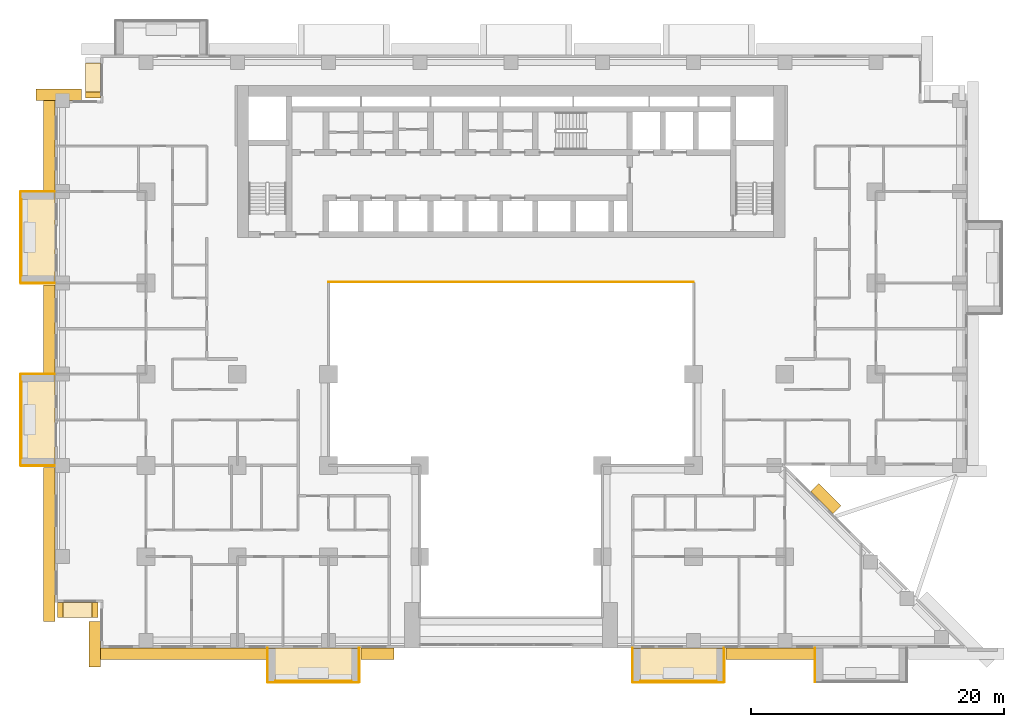
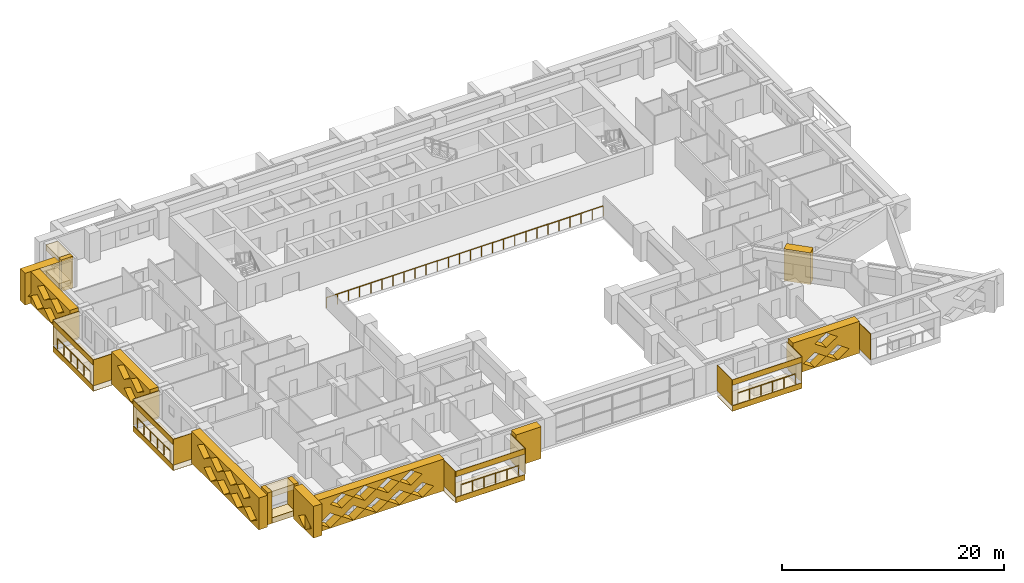
# One storey, part 14 of 17: 37 coverings, 5 railings.
"""IFC4 building model written with IfcOpenShell, lengths in metres."""

from ifc_helpers import new_model, si_unit, direction, frame, origin, origin_2d, place, context, subcontext, project, spatial, polyline, circle, outline, extrude, material, layer, layer_set, type_object, element, save


model = new_model("IFC4")

# Units and contexts
model_context = context("Model", 3, precision=1e-05, world=origin(), true_north=direction((0.0, 1.0)))
body_context = subcontext(model_context, "Body", "Model", "MODEL_VIEW")
ifc_project = project(units=[si_unit("LENGTHUNIT", "METRE"), si_unit("AREAUNIT", "SQUARE_METRE"), si_unit("VOLUMEUNIT", "CUBIC_METRE"), si_unit("PLANEANGLEUNIT", "RADIAN"), si_unit("MASSUNIT", "GRAM", prefix="KILO")], contexts=[model_context])

# Site, building, storey
site_placement = place(None, origin())
site = spatial("IfcSite", under=ifc_project, at=site_placement, CompositionType="ELEMENT")
building_placement = place(site_placement, origin())
building = spatial("IfcBuilding", under=site, at=building_placement, Name="Saffron Iwan Residences", CompositionType="ELEMENT")
storey_placement = place(building_placement, frame((0.0, 0.0, 58.5)))
storey = spatial("IfcBuildingStorey", under=building, at=storey_placement, Name="L14", CompositionType="ELEMENT", Elevation=58.5)

# Railings
ifc_material_1 = material(Name="Stainless steel 316", Category="steel")
railing_type_1 = type_object("IfcRailingType", Name="Atrium guard 1150", PredefinedType="GUARDRAIL", material=ifc_material_1)
railing_placement = place(storey_placement, frame((36.0, 62.47509765625, 0.0)))
element("IfcRailing", 1, at=railing_placement, inside=storey, type_object=railing_type_1, Name="Atrium guard L14", PredefinedType="GUARDRAIL", context=body_context, shape_type="SweptSolid", body=[
    extrude(circle(Radius=0.02392578125, at=origin_2d()), frame((0.0, 0.0, 1.1259765625), z_axis=(1.0, 0.0, 0.0), x_axis=(0.0, 1.0, 0.0)), (0.0, 0.0, 1.0), 28.800048828125),
    extrude(circle(Radius=0.02099609375, at=origin_2d()), origin(), (0.0, 0.0, 1.0), 1.101806640625),
    extrude(circle(Radius=0.02099609375, at=origin_2d()), frame((1.152099609375, 0.0, 0.0)), (0.0, 0.0, 1.0), 1.101806640625),
    extrude(circle(Radius=0.02099609375, at=origin_2d()), frame((2.303955078125, 0.0, 0.0)), (0.0, 0.0, 1.0), 1.101806640625),
    extrude(circle(Radius=0.02099609375, at=origin_2d()), frame((3.4560546875, 0.0, 0.0)), (0.0, 0.0, 1.0), 1.101806640625),
    extrude(circle(Radius=0.02099609375, at=origin_2d()), frame((4.60791015625, 0.0, 0.0)), (0.0, 0.0, 1.0), 1.101806640625),
    extrude(circle(Radius=0.02099609375, at=origin_2d()), frame((5.760009765625, 0.0, 0.0)), (0.0, 0.0, 1.0), 1.101806640625),
    extrude(circle(Radius=0.02099609375, at=origin_2d()), frame((6.912109375, 0.0, 0.0)), (0.0, 0.0, 1.0), 1.101806640625),
    extrude(circle(Radius=0.02099609375, at=origin_2d()), frame((8.06396484375, 0.0, 0.0)), (0.0, 0.0, 1.0), 1.101806640625),
    extrude(circle(Radius=0.02099609375, at=origin_2d()), frame((9.216064453125, 0.0, 0.0)), (0.0, 0.0, 1.0), 1.101806640625),
    extrude(circle(Radius=0.02099609375, at=origin_2d()), frame((10.367919921875, 0.0, 0.0)), (0.0, 0.0, 1.0), 1.101806640625),
    extrude(circle(Radius=0.02099609375, at=origin_2d()), frame((11.52001953125, 0.0, 0.0)), (0.0, 0.0, 1.0), 1.101806640625),
    extrude(circle(Radius=0.02099609375, at=origin_2d()), frame((12.672119140625, 0.0, 0.0)), (0.0, 0.0, 1.0), 1.101806640625),
    extrude(circle(Radius=0.02099609375, at=origin_2d()), frame((13.823974609375, 0.0, 0.0)), (0.0, 0.0, 1.0), 1.101806640625),
    extrude(circle(Radius=0.02099609375, at=origin_2d()), frame((14.97607421875, 0.0, 0.0)), (0.0, 0.0, 1.0), 1.101806640625),
    extrude(circle(Radius=0.02099609375, at=origin_2d()), frame((16.1279296875, 0.0, 0.0)), (0.0, 0.0, 1.0), 1.101806640625),
    extrude(circle(Radius=0.02099609375, at=origin_2d()), frame((17.280029296875, 0.0, 0.0)), (0.0, 0.0, 1.0), 1.101806640625),
    extrude(circle(Radius=0.02099609375, at=origin_2d()), frame((18.43212890625, 0.0, 0.0)), (0.0, 0.0, 1.0), 1.101806640625),
    extrude(circle(Radius=0.02099609375, at=origin_2d()), frame((19.583984375, 0.0, 0.0)), (0.0, 0.0, 1.0), 1.101806640625),
    extrude(circle(Radius=0.02099609375, at=origin_2d()), frame((20.736083984375, 0.0, 0.0)), (0.0, 0.0, 1.0), 1.101806640625),
    extrude(circle(Radius=0.02099609375, at=origin_2d()), frame((21.887939453125, 0.0, 0.0)), (0.0, 0.0, 1.0), 1.101806640625),
    extrude(circle(Radius=0.02099609375, at=origin_2d()), frame((23.0400390625, 0.0, 0.0)), (0.0, 0.0, 1.0), 1.101806640625),
    extrude(circle(Radius=0.02099609375, at=origin_2d()), frame((24.192138671875, 0.0, 0.0)), (0.0, 0.0, 1.0), 1.101806640625),
    extrude(circle(Radius=0.02099609375, at=origin_2d()), frame((25.343994140625, 0.0, 0.0)), (0.0, 0.0, 1.0), 1.101806640625),
    extrude(circle(Radius=0.02099609375, at=origin_2d()), frame((26.49609375, 0.0, 0.0)), (0.0, 0.0, 1.0), 1.101806640625),
    extrude(circle(Radius=0.02099609375, at=origin_2d()), frame((27.64794921875, 0.0, 0.0)), (0.0, 0.0, 1.0), 1.101806640625),
    extrude(circle(Radius=0.02099609375, at=origin_2d()), frame((28.800048828125, 0.0, 0.0)), (0.0, 0.0, 1.0), 1.101806640625),
])
railing_type_2 = type_object("IfcRailingType", Name="BALCONY GUARD 1150", PredefinedType="GUARDRAIL", material=ifc_material_1)
for number, where, name in (
    (2, (11.77490234375, 69.0, 0.0), "Balcony guard L14 F8-0"),
    (3, (11.77490234375, 54.60009765625, 0.0), "Balcony guard L14 F8-1"),
):
    element("IfcRailing", number, at=place(storey_placement, frame(where)), inside=storey, type_object=railing_type_2, Name=name, PredefinedType="GUARDRAIL", context=body_context, shape_type="SweptSolid", body=[
        extrude(circle(Radius=0.02392578125, at=origin_2d()), frame((0.0, 0.0, 1.1259765625), z_axis=(0.0, -1.0, 0.0), x_axis=(1.0, 0.0, 0.0)), (0.0, 0.0, 1.0), 6.0),
        extrude(circle(Radius=0.02099609375, at=origin_2d()), origin(), (0.0, 0.0, 1.0), 1.101806640625),
        extrude(circle(Radius=0.02099609375, at=origin_2d()), frame((0.0, -1.199951171875, 0.0)), (0.0, 0.0, 1.0), 1.101806640625),
        extrude(circle(Radius=0.02099609375, at=origin_2d()), frame((0.0, -2.39990234375, 0.0)), (0.0, 0.0, 1.0), 1.101806640625),
        extrude(circle(Radius=0.02099609375, at=origin_2d()), frame((0.0, -3.60009765625, 0.0)), (0.0, 0.0, 1.0), 1.101806640625),
        extrude(circle(Radius=0.02099609375, at=origin_2d()), frame((0.0, -4.800048828125, 0.0)), (0.0, 0.0, 1.0), 1.101806640625),
        extrude(circle(Radius=0.02099609375, at=origin_2d()), frame((0.0, -6.0, 0.0)), (0.0, 0.0, 1.0), 1.101806640625),
    ])
for number, where, name in (
    (4, (31.800048828125, 30.97509765625, 0.0), "Balcony guard L14 11-0"),
    (5, (60.60009765625, 30.97509765625, 0.0), "Balcony guard L14 11-1"),
):
    element("IfcRailing", number, at=place(storey_placement, frame(where)), inside=storey, type_object=railing_type_2, Name=name, PredefinedType="GUARDRAIL", context=body_context, shape_type="SweptSolid", body=[
        extrude(circle(Radius=0.02392578125, at=origin_2d()), frame((0.0, 0.0, 1.1259765625), z_axis=(1.0, 0.0, 0.0), x_axis=(0.0, 1.0, 0.0)), (0.0, 0.0, 1.0), 6.0),
        extrude(circle(Radius=0.02099609375, at=origin_2d()), origin(), (0.0, 0.0, 1.0), 1.101806640625),
        extrude(circle(Radius=0.02099609375, at=origin_2d()), frame((1.199951171875, 0.0, 0.0)), (0.0, 0.0, 1.0), 1.101806640625),
        extrude(circle(Radius=0.02099609375, at=origin_2d()), frame((2.39990234375, 0.0, 0.0)), (0.0, 0.0, 1.0), 1.101806640625),
        extrude(circle(Radius=0.02099609375, at=origin_2d()), frame((3.60009765625, 0.0, 0.0)), (0.0, 0.0, 1.0), 1.101806640625),
        extrude(circle(Radius=0.02099609375, at=origin_2d()), frame((4.800048828125, 0.0, 0.0)), (0.0, 0.0, 1.0), 1.101806640625),
        extrude(circle(Radius=0.02099609375, at=origin_2d()), frame((6.0, 0.0, 0.0)), (0.0, 0.0, 1.0), 1.101806640625),
    ])

# Coverings
ifc_material_2 = material(Name="Precast concrete C40/50 white painted", Category="concrete")
ifc_layer = layer(ifc_material_2, 0.050048828125)
ifc_layer_set = layer_set([ifc_layer], Name="Precast concrete C40/50 white painted")
covering_type_1 = type_object("IfcCoveringType", Name="FRAME SKIN PRECAST WHITE 50", PredefinedType="CLADDING", material=ifc_layer_set)
for number, where, name in (
    (6, (0.0, 0.0, -0.60009765625), "Frame skin slab edge L14 F8-0"),
    (7, (0.0, 0.0, 2.25), "Frame skin fascia L14 F8-0"),
):
    element("IfcCovering", number, at=place(storey_placement, frame(where)), inside=storey, type_object=covering_type_1, Name=name, PredefinedType="CLADDING", context=body_context, shape_type="SweptSolid", body=[
        extrude(outline(polyline([(11.64990234375, 69.60009765625), (11.64990234375, 62.39990234375), (11.699951171875, 62.39990234375), (11.699951171875, 69.60009765625), (11.64990234375, 69.60009765625)])), origin(), (0.0, 0.0, 1.0), 0.60009765625),
    ])
covering_1_placement = place(storey_placement, frame((0.0, 0.0, -0.64990234375)))
element("IfcCovering", 8, at=covering_1_placement, inside=storey, type_object=covering_type_1, Name="Frame skin soffit L14 F8-0", PredefinedType="CLADDING", context=body_context, shape_type="SweptSolid", body=[
    extrude(outline(polyline([(11.699951171875, 69.60009765625), (11.699951171875, 62.39990234375), (14.39990234375, 62.39990234375), (14.39990234375, 69.60009765625), (11.699951171875, 69.60009765625)])), origin(), (0.0, 0.0, 1.0), 0.0498046875),
])
covering_2_placement = place(storey_placement, origin())
element("IfcCovering", 9, at=covering_2_placement, inside=storey, type_object=covering_type_1, Name="Frame skin fin L14 F8-0a", PredefinedType="CLADDING", context=body_context, shape_type="SweptSolid", body=[
    extrude(outline(polyline([(11.699951171875, 69.64990234375), (11.699951171875, 69.60009765625), (14.39990234375, 69.60009765625), (14.39990234375, 69.64990234375), (11.699951171875, 69.64990234375)])), origin(), (0.0, 0.0, 1.0), 2.85009765625),
])
covering_3_placement = place(storey_placement, origin())
element("IfcCovering", 10, at=covering_3_placement, inside=storey, type_object=covering_type_1, Name="Frame skin fin L14 F8-0b", PredefinedType="CLADDING", context=body_context, shape_type="SweptSolid", body=[
    extrude(outline(polyline([(11.699951171875, 62.39990234375), (11.699951171875, 62.35009765625), (14.39990234375, 62.35009765625), (14.39990234375, 62.39990234375), (11.699951171875, 62.39990234375)])), origin(), (0.0, 0.0, 1.0), 2.85009765625),
])
for number, where, name in (
    (11, (0.0, 0.0, -0.60009765625), "Frame skin slab edge L14 F8-1"),
    (12, (0.0, 0.0, 2.25), "Frame skin fascia L14 F8-1"),
):
    element("IfcCovering", number, at=place(storey_placement, frame(where)), inside=storey, type_object=covering_type_1, Name=name, PredefinedType="CLADDING", context=body_context, shape_type="SweptSolid", body=[
        extrude(outline(polyline([(11.64990234375, 55.199951171875), (11.64990234375, 48.0), (11.699951171875, 48.0), (11.699951171875, 55.199951171875), (11.64990234375, 55.199951171875)])), origin(), (0.0, 0.0, 1.0), 0.60009765625),
    ])
covering_4_placement = place(storey_placement, frame((0.0, 0.0, -0.64990234375)))
element("IfcCovering", 13, at=covering_4_placement, inside=storey, type_object=covering_type_1, Name="Frame skin soffit L14 F8-1", PredefinedType="CLADDING", context=body_context, shape_type="SweptSolid", body=[
    extrude(outline(polyline([(11.699951171875, 55.199951171875), (11.699951171875, 48.0), (14.39990234375, 48.0), (14.39990234375, 55.199951171875), (11.699951171875, 55.199951171875)])), origin(), (0.0, 0.0, 1.0), 0.0498046875),
])
covering_5_placement = place(storey_placement, origin())
element("IfcCovering", 14, at=covering_5_placement, inside=storey, type_object=covering_type_1, Name="Frame skin fin L14 F8-1a", PredefinedType="CLADDING", context=body_context, shape_type="SweptSolid", body=[
    extrude(outline(polyline([(11.699951171875, 55.25), (11.699951171875, 55.199951171875), (14.39990234375, 55.199951171875), (14.39990234375, 55.25), (11.699951171875, 55.25)])), origin(), (0.0, 0.0, 1.0), 2.85009765625),
])
covering_6_placement = place(storey_placement, origin())
element("IfcCovering", 15, at=covering_6_placement, inside=storey, type_object=covering_type_1, Name="Frame skin fin L14 F8-1b", PredefinedType="CLADDING", context=body_context, shape_type="SweptSolid", body=[
    extrude(outline(polyline([(11.699951171875, 48.0), (11.699951171875, 47.949951171875), (14.39990234375, 47.949951171875), (14.39990234375, 48.0), (11.699951171875, 48.0)])), origin(), (0.0, 0.0, 1.0), 2.85009765625),
])
for number, where, name in (
    (16, (0.0, 0.0, -0.60009765625), "Frame skin slab edge L14 11-0"),
    (17, (0.0, 0.0, 2.25), "Frame skin fascia L14 11-0"),
):
    element("IfcCovering", number, at=place(storey_placement, frame(where)), inside=storey, type_object=covering_type_1, Name=name, PredefinedType="CLADDING", context=body_context, shape_type="SweptSolid", body=[
        extrude(outline(polyline([(31.199951171875, 30.85009765625), (38.39990234375, 30.85009765625), (38.39990234375, 30.89990234375), (31.199951171875, 30.89990234375), (31.199951171875, 30.85009765625)])), origin(), (0.0, 0.0, 1.0), 0.60009765625),
    ])
covering_7_placement = place(storey_placement, frame((0.0, 0.0, -0.64990234375)))
element("IfcCovering", 18, at=covering_7_placement, inside=storey, type_object=covering_type_1, Name="Frame skin soffit L14 11-0", PredefinedType="CLADDING", context=body_context, shape_type="SweptSolid", body=[
    extrude(outline(polyline([(31.199951171875, 30.89990234375), (38.39990234375, 30.89990234375), (38.39990234375, 33.60009765625), (31.199951171875, 33.60009765625), (31.199951171875, 30.89990234375)])), origin(), (0.0, 0.0, 1.0), 0.0498046875),
])
covering_8_placement = place(storey_placement, origin())
element("IfcCovering", 19, at=covering_8_placement, inside=storey, type_object=covering_type_1, Name="Frame skin fin L14 11-0a", PredefinedType="CLADDING", context=body_context, shape_type="SweptSolid", body=[
    extrude(outline(polyline([(31.14990234375, 30.89990234375), (31.199951171875, 30.89990234375), (31.199951171875, 33.60009765625), (31.14990234375, 33.60009765625), (31.14990234375, 30.89990234375)])), origin(), (0.0, 0.0, 1.0), 2.85009765625),
])
covering_9_placement = place(storey_placement, origin())
element("IfcCovering", 20, at=covering_9_placement, inside=storey, type_object=covering_type_1, Name="Frame skin fin L14 11-0b", PredefinedType="CLADDING", context=body_context, shape_type="SweptSolid", body=[
    extrude(outline(polyline([(38.39990234375, 30.89990234375), (38.449951171875, 30.89990234375), (38.449951171875, 33.60009765625), (38.39990234375, 33.60009765625), (38.39990234375, 30.89990234375)])), origin(), (0.0, 0.0, 1.0), 2.85009765625),
])
for number, where, name in (
    (21, (0.0, 0.0, -0.60009765625), "Frame skin slab edge L14 11-1"),
    (22, (0.0, 0.0, 2.25), "Frame skin fascia L14 11-1"),
):
    element("IfcCovering", number, at=place(storey_placement, frame(where)), inside=storey, type_object=covering_type_1, Name=name, PredefinedType="CLADDING", context=body_context, shape_type="SweptSolid", body=[
        extrude(outline(polyline([(60.0, 30.85009765625), (67.199951171875, 30.85009765625), (67.199951171875, 30.89990234375), (60.0, 30.89990234375), (60.0, 30.85009765625)])), origin(), (0.0, 0.0, 1.0), 0.60009765625),
    ])
covering_10_placement = place(storey_placement, frame((0.0, 0.0, -0.64990234375)))
element("IfcCovering", 23, at=covering_10_placement, inside=storey, type_object=covering_type_1, Name="Frame skin soffit L14 11-1", PredefinedType="CLADDING", context=body_context, shape_type="SweptSolid", body=[
    extrude(outline(polyline([(60.0, 30.89990234375), (67.199951171875, 30.89990234375), (67.199951171875, 33.60009765625), (60.0, 33.60009765625), (60.0, 30.89990234375)])), origin(), (0.0, 0.0, 1.0), 0.0498046875),
])
covering_11_placement = place(storey_placement, origin())
element("IfcCovering", 24, at=covering_11_placement, inside=storey, type_object=covering_type_1, Name="Frame skin fin L14 11-1a", PredefinedType="CLADDING", context=body_context, shape_type="SweptSolid", body=[
    extrude(outline(polyline([(59.949951171875, 30.89990234375), (60.0, 30.89990234375), (60.0, 33.60009765625), (59.949951171875, 33.60009765625), (59.949951171875, 30.89990234375)])), origin(), (0.0, 0.0, 1.0), 2.85009765625),
])
covering_12_placement = place(storey_placement, origin())
element("IfcCovering", 25, at=covering_12_placement, inside=storey, type_object=covering_type_1, Name="Frame skin fin L14 11-1b", PredefinedType="CLADDING", context=body_context, shape_type="SweptSolid", body=[
    extrude(outline(polyline([(67.199951171875, 30.89990234375), (67.25, 30.89990234375), (67.25, 33.60009765625), (67.199951171875, 33.60009765625), (67.199951171875, 30.89990234375)])), origin(), (0.0, 0.0, 1.0), 2.85009765625),
])
covering_13_placement = place(storey_placement, origin())
element("IfcCovering", 26, at=covering_13_placement, inside=storey, type_object=covering_type_1, Name="Frame skin fin L14 11-2a", PredefinedType="CLADDING", context=body_context, shape_type="SweptSolid", body=[
    extrude(outline(polyline([(74.35009765625, 30.89990234375), (74.39990234375, 30.89990234375), (74.39990234375, 33.60009765625), (74.35009765625, 33.60009765625), (74.35009765625, 30.89990234375)])), origin(), (0.0, 0.0, 1.0), 2.85009765625),
])
ifc_material_3 = material(Name="Precast concrete C40/50", Category="concrete")
covering_type_2 = type_object("IfcCoveringType", Name="OUTER SKIN LATTICE SCREEN", PredefinedType="CLADDING", material=ifc_material_3)
covering_14_placement = place(storey_placement, frame((75.805908203125, 44.194091796875, -0.320068359375), z_axis=(0.707106781187, 0.707106781187, 0.0), x_axis=(-0.707106781187, 0.707106781187, 0.0)))
element("IfcCovering", 27, at=covering_14_placement, inside=storey, type_object=covering_type_2, Name="OUTER SKIN lattice screen L14 F0.1", PredefinedType="CLADDING", context=body_context, shape_type="SweptSolid", body=[
    extrude(outline(polyline([(0.0, 0.0), (2.4853515625, 0.0), (2.4853515625, 3.5), (0.0, 3.5), (0.0, 0.0)])), origin(), (0.0, 0.0, 1.0), 0.900146484375),
])
covering_15_placement = place(storey_placement, frame((16.5, 76.800048828125, -0.320068359375), z_axis=(0.0, 1.0, 0.0), x_axis=(-1.0, 0.0, 0.0)))
element("IfcCovering", 28, at=covering_15_placement, inside=storey, type_object=covering_type_2, Name="OUTER SKIN lattice screen L14 F7.0", PredefinedType="CLADDING", context=body_context, shape_type="SweptSolid", body=[
    extrude(outline(polyline([(0.0, 0.0), (3.60009765625, 0.0), (3.60009765625, 3.5), (0.0, 3.5), (0.0, 0.0)]), holes=[polyline([(0.919921875, 0.875), (2.10009765625, 0.06005859375), (3.280029296875, 0.875), (2.10009765625, 1.68994140625), (0.919921875, 0.875)])]), origin(), (0.0, 0.0, 1.0), 0.89990234375),
])
covering_16_placement = place(storey_placement, frame((14.39990234375, 77.699951171875, -0.320068359375), z_axis=(-1.0, 0.0, 0.0), x_axis=(0.0, -1.0, 0.0)))
element("IfcCovering", 29, at=covering_16_placement, inside=storey, type_object=covering_type_2, Name="OUTER SKIN lattice screen L14 F8.0", PredefinedType="CLADDING", context=body_context, shape_type="SweptSolid", body=[
    extrude(outline(polyline([(0.0, 0.0), (7.949951171875, 0.0), (7.949951171875, 3.5), (0.0, 3.5), (0.0, 0.0)]), holes=[polyline([(0.919921875, 0.875), (2.10009765625, 0.06005859375), (3.280029296875, 0.875), (2.10009765625, 1.68994140625), (0.919921875, 0.875)]), polyline([(3.320068359375, 0.875), (4.5, 0.06005859375), (5.679931640625, 0.875), (4.5, 1.68994140625), (3.320068359375, 0.875)]), polyline([(2.1201171875, 2.625), (3.300048828125, 1.81005859375), (4.47998046875, 2.625), (3.300048828125, 3.43994140625), (2.1201171875, 2.625)]), polyline([(4.52001953125, 2.625), (5.699951171875, 1.81005859375), (6.8798828125, 2.625), (5.699951171875, 3.43994140625), (4.52001953125, 2.625)])]), origin(), (0.0, 0.0, 1.0), 0.89990234375),
])
covering_17_placement = place(storey_placement, frame((14.39990234375, 62.25, -0.320068359375), z_axis=(-1.0, 0.0, 0.0), x_axis=(0.0, -1.0, 0.0)))
element("IfcCovering", 30, at=covering_17_placement, inside=storey, type_object=covering_type_2, Name="OUTER SKIN lattice screen L14 F8.1", PredefinedType="CLADDING", context=body_context, shape_type="SweptSolid", body=[
    extrude(outline(polyline([(0.0, 0.0), (6.89990234375, 0.0), (6.89990234375, 3.5), (0.0, 3.5), (0.0, 0.0)]), holes=[polyline([(2.27001953125, 0.875), (3.449951171875, 0.06005859375), (4.6298828125, 0.875), (3.449951171875, 1.68994140625), (2.27001953125, 0.875)]), polyline([(1.070068359375, 2.625), (2.25, 1.81005859375), (3.429931640625, 2.625), (2.25, 3.43994140625), (1.070068359375, 2.625)]), polyline([(3.469970703125, 2.625), (4.64990234375, 1.81005859375), (5.830078125, 2.625), (4.64990234375, 3.43994140625), (3.469970703125, 2.625)])]), origin(), (0.0, 0.0, 1.0), 0.89990234375),
])
covering_18_placement = place(storey_placement, frame((14.39990234375, 47.85009765625, -0.320068359375), z_axis=(-1.0, 0.0, 0.0), x_axis=(0.0, -1.0, 0.0)))
element("IfcCovering", 31, at=covering_18_placement, inside=storey, type_object=covering_type_2, Name="OUTER SKIN lattice screen L14 F8.2", PredefinedType="CLADDING", context=body_context, shape_type="SweptSolid", body=[
    extrude(outline(polyline([(0.0, 0.0), (12.14990234375, 0.0), (12.14990234375, 3.5), (0.0, 3.5), (0.0, 0.0)]), holes=[polyline([(2.27001953125, 0.875), (3.449951171875, 0.06005859375), (4.6298828125, 0.875), (3.449951171875, 1.68994140625), (2.27001953125, 0.875)]), polyline([(4.669921875, 0.875), (5.85009765625, 0.06005859375), (7.030029296875, 0.875), (5.85009765625, 1.68994140625), (4.669921875, 0.875)]), polyline([(7.070068359375, 0.875), (8.25, 0.06005859375), (9.429931640625, 0.875), (8.25, 1.68994140625), (7.070068359375, 0.875)]), polyline([(9.469970703125, 0.875), (10.64990234375, 0.06005859375), (11.830078125, 0.875), (10.64990234375, 1.68994140625), (9.469970703125, 0.875)]), polyline([(1.070068359375, 2.625), (2.25, 1.81005859375), (3.429931640625, 2.625), (2.25, 3.43994140625), (1.070068359375, 2.625)]), polyline([(3.469970703125, 2.625), (4.64990234375, 1.81005859375), (5.830078125, 2.625), (4.64990234375, 3.43994140625), (3.469970703125, 2.625)]), polyline([(5.8701171875, 2.625), (7.050048828125, 1.81005859375), (8.22998046875, 2.625), (7.050048828125, 3.43994140625), (5.8701171875, 2.625)]), polyline([(8.27001953125, 2.625), (9.449951171875, 1.81005859375), (10.6298828125, 2.625), (9.449951171875, 3.43994140625), (8.27001953125, 2.625)])]), origin(), (0.0, 0.0, 1.0), 0.89990234375),
])
covering_19_placement = place(storey_placement, frame((18.0, 35.699951171875, -0.320068359375), z_axis=(-1.0, 0.0, 0.0), x_axis=(0.0, -1.0, 0.0)))
element("IfcCovering", 32, at=covering_19_placement, inside=storey, type_object=covering_type_2, Name="OUTER SKIN lattice screen L14 F10.0", PredefinedType="CLADDING", context=body_context, shape_type="SweptSolid", body=[
    extrude(outline(polyline([(0.0, 0.0), (3.60009765625, 0.0), (3.60009765625, 3.5), (0.0, 3.5), (0.0, 0.0)]), holes=[polyline([(0.919921875, 0.875), (2.10009765625, 0.06005859375), (3.280029296875, 0.875), (2.10009765625, 1.68994140625), (0.919921875, 0.875)])]), origin(), (0.0, 0.0, 1.0), 0.89990234375),
])
covering_20_placement = place(storey_placement, frame((17.10009765625, 33.60009765625, -0.320068359375), z_axis=(0.0, -1.0, 0.0), x_axis=(1.0, 0.0, 0.0)))
element("IfcCovering", 33, at=covering_20_placement, inside=storey, type_object=covering_type_2, Name="OUTER SKIN lattice screen L14 F11.0", PredefinedType="CLADDING", context=body_context, shape_type="SweptSolid", body=[
    extrude(outline(polyline([(0.0, 0.0), (13.949951171875, 0.0), (13.949951171875, 3.5), (0.0, 3.5), (0.0, 0.0)]), holes=[polyline([(0.919921875, 0.875), (2.10009765625, 0.06005859375), (3.280029296875, 0.875), (2.10009765625, 1.68994140625), (0.919921875, 0.875)]), polyline([(3.320068359375, 0.875), (4.5, 0.06005859375), (5.679931640625, 0.875), (4.5, 1.68994140625), (3.320068359375, 0.875)]), polyline([(5.719970703125, 0.875), (6.89990234375, 0.06005859375), (8.080078125, 0.875), (6.89990234375, 1.68994140625), (5.719970703125, 0.875)]), polyline([(8.1201171875, 0.875), (9.300048828125, 0.06005859375), (10.47998046875, 0.875), (9.300048828125, 1.68994140625), (8.1201171875, 0.875)]), polyline([(10.52001953125, 0.875), (11.699951171875, 0.06005859375), (12.8798828125, 0.875), (11.699951171875, 1.68994140625), (10.52001953125, 0.875)]), polyline([(2.1201171875, 2.625), (3.300048828125, 1.81005859375), (4.47998046875, 2.625), (3.300048828125, 3.43994140625), (2.1201171875, 2.625)]), polyline([(4.52001953125, 2.625), (5.699951171875, 1.81005859375), (6.8798828125, 2.625), (5.699951171875, 3.43994140625), (4.52001953125, 2.625)]), polyline([(6.919921875, 2.625), (8.10009765625, 1.81005859375), (9.280029296875, 2.625), (8.10009765625, 3.43994140625), (6.919921875, 2.625)]), polyline([(9.320068359375, 2.625), (10.5, 1.81005859375), (11.679931640625, 2.625), (10.5, 3.43994140625), (9.320068359375, 2.625)])]), origin(), (0.0, 0.0, 1.0), 0.900146484375),
])
covering_21_placement = place(storey_placement, frame((38.550048828125, 33.60009765625, -0.320068359375), z_axis=(0.0, -1.0, 0.0), x_axis=(1.0, 0.0, 0.0)))
element("IfcCovering", 34, at=covering_21_placement, inside=storey, type_object=covering_type_2, Name="OUTER SKIN lattice screen L14 F11.1", PredefinedType="CLADDING", context=body_context, shape_type="SweptSolid", body=[
    extrude(outline(polyline([(0.0, 0.0), (2.60009765625, 0.0), (2.60009765625, 3.5), (0.0, 3.5), (0.0, 0.0)])), origin(), (0.0, 0.0, 1.0), 0.900146484375),
])
covering_22_placement = place(storey_placement, frame((67.35009765625, 33.60009765625, -0.320068359375), z_axis=(0.0, -1.0, 0.0), x_axis=(1.0, 0.0, 0.0)))
element("IfcCovering", 35, at=covering_22_placement, inside=storey, type_object=covering_type_2, Name="OUTER SKIN lattice screen L14 F11.2", PredefinedType="CLADDING", context=body_context, shape_type="SweptSolid", body=[
    extrude(outline(polyline([(0.0, 0.0), (6.89990234375, 0.0), (6.89990234375, 3.5), (0.0, 3.5), (0.0, 0.0)]), holes=[polyline([(1.070068359375, 0.875), (2.25, 0.06005859375), (3.429931640625, 0.875), (2.25, 1.68994140625), (1.070068359375, 0.875)]), polyline([(3.469970703125, 0.875), (4.64990234375, 0.06005859375), (5.830078125, 0.875), (4.64990234375, 1.68994140625), (3.469970703125, 0.875)]), polyline([(2.27001953125, 2.625), (3.449951171875, 1.81005859375), (4.6298828125, 2.625), (3.449951171875, 3.43994140625), (2.27001953125, 2.625)])]), origin(), (0.0, 0.0, 1.0), 0.900146484375),
])
covering_type_3 = type_object("IfcCoveringType", Name="WHITE SUN FRAME PRECAST", PredefinedType="CLADDING", material=ifc_material_2)
covering_23_placement = place(storey_placement, frame((18.0, 77.449951171875, -0.320068359375), z_axis=(-1.0, 0.0, 0.0), x_axis=(0.0, -1.0, 0.0)))
element("IfcCovering", 36, at=covering_23_placement, inside=storey, type_object=covering_type_3, Name="Sun frame L14 F6 0.2b", PredefinedType="CLADDING", context=body_context, shape_type="SweptSolid", body=[
    extrude(outline(polyline([(0.0, 0.0), (0.449951171875, 0.0), (0.449951171875, 3.5), (0.0, 3.5), (0.0, 0.0)])), origin(), (0.0, 0.0, 1.0), 1.199951171875),
])
for number, where, z_axis, x_axis, name in (
    (37, (18.0, 79.75, 2.580078125), (-1.0, 0.0, 0.0), (0.0, -1.0, 0.0), "Sun frame L14 F6 0.2h"),
    (38, (18.0, 79.75, -0.320068359375), (-1.0, 0.0, 0.0), (0.0, -1.0, 0.0), "Sun frame L14 F6 0.2s"),
):
    element("IfcCovering", number, at=place(storey_placement, frame(where, z_axis=z_axis, x_axis=x_axis)), inside=storey, type_object=covering_type_3, Name=name, PredefinedType="CLADDING", context=body_context, shape_type="SweptSolid", body=[
        extrude(outline(polyline([(0.0, 0.0), (2.300048828125, 0.0), (2.300048828125, 0.60009765625), (0.0, 0.60009765625), (0.0, 0.0)])), origin(), (0.0, 0.0, 1.0), 1.199951171875),
    ])
for number, where, z_axis, x_axis, name in (
    (39, (14.60009765625, 37.199951171875, -0.320068359375), (0.0, -1.0, 0.0), (1.0, 0.0, 0.0), "Sun frame L14 F9 0.2a"),
    (40, (17.35009765625, 37.199951171875, -0.320068359375), (0.0, -1.0, 0.0), (1.0, 0.0, 0.0), "Sun frame L14 F9 0.2b"),
):
    element("IfcCovering", number, at=place(storey_placement, frame(where, z_axis=z_axis, x_axis=x_axis)), inside=storey, type_object=covering_type_3, Name=name, PredefinedType="CLADDING", context=body_context, shape_type="SweptSolid", body=[
        extrude(outline(polyline([(0.0, 0.0), (0.449951171875, 0.0), (0.449951171875, 3.5), (0.0, 3.5), (0.0, 0.0)])), origin(), (0.0, 0.0, 1.0), 1.199951171875),
    ])
for number, where, z_axis, x_axis, name in (
    (41, (15.050048828125, 37.199951171875, 2.580078125), (0.0, -1.0, 0.0), (1.0, 0.0, 0.0), "Sun frame L14 F9 0.2h"),
    (42, (15.050048828125, 37.199951171875, -0.320068359375), (0.0, -1.0, 0.0), (1.0, 0.0, 0.0), "Sun frame L14 F9 0.2s"),
):
    element("IfcCovering", number, at=place(storey_placement, frame(where, z_axis=z_axis, x_axis=x_axis)), inside=storey, type_object=covering_type_3, Name=name, PredefinedType="CLADDING", context=body_context, shape_type="SweptSolid", body=[
        extrude(outline(polyline([(0.0, 0.0), (2.300048828125, 0.0), (2.300048828125, 0.60009765625), (0.0, 0.60009765625), (0.0, 0.0)])), origin(), (0.0, 0.0, 1.0), 1.199951171875),
    ])

save(model, "model.ifc")
